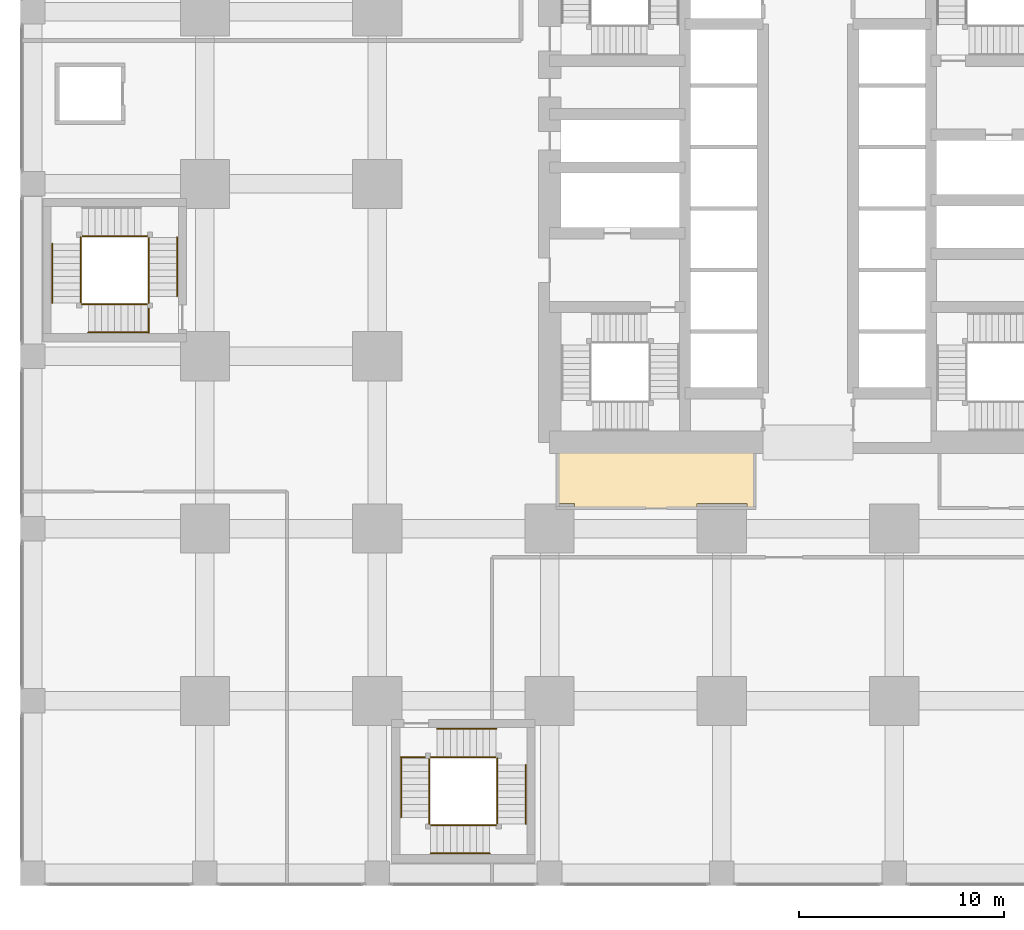
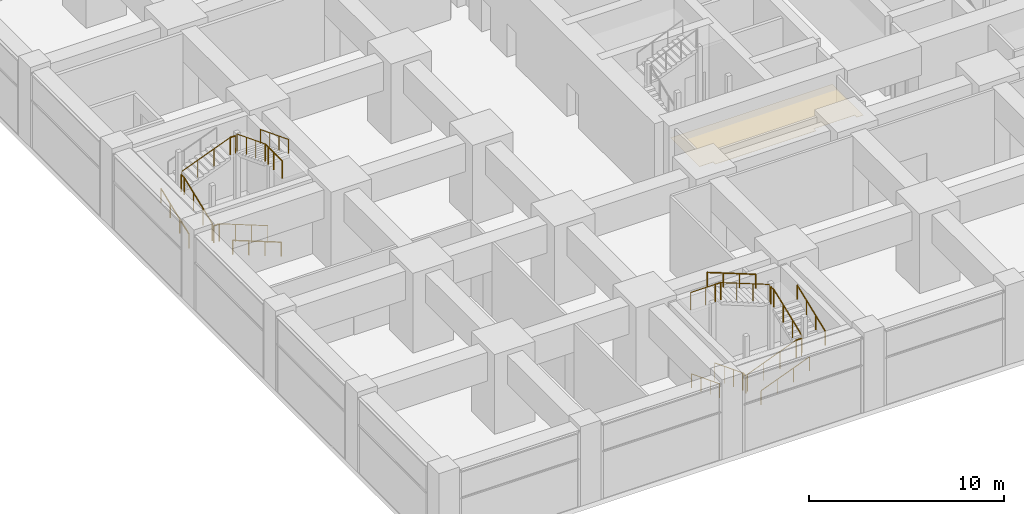
# One storey, part 40 of 48: 25 railings, 1 covering.
"""IFC4 building model written with IfcOpenShell, lengths in metres."""

from ifc_helpers import new_model, si_unit, direction, frame, origin, origin_2d, place, context, subcontext, project, spatial, polyline, circle, outline, extrude, material, layer, layer_set, type_object, element, save


model = new_model("IFC4")

# Units and contexts
model_context = context("Model", 3, precision=1e-05, world=origin(), true_north=direction((0.0, 1.0)))
body_context = subcontext(model_context, "Body", "Model", "MODEL_VIEW")
ifc_project = project(units=[si_unit("LENGTHUNIT", "METRE"), si_unit("AREAUNIT", "SQUARE_METRE"), si_unit("VOLUMEUNIT", "CUBIC_METRE"), si_unit("PLANEANGLEUNIT", "RADIAN"), si_unit("MASSUNIT", "GRAM", prefix="KILO")], contexts=[model_context])

# Site, building, storey
site_placement = place(None, origin())
site = spatial("IfcSite", under=ifc_project, at=site_placement, CompositionType="ELEMENT")
building_placement = place(site_placement, origin())
building = spatial("IfcBuilding", under=site, at=building_placement, Name="Rekha Terrace Tower", CompositionType="ELEMENT")
storey_placement = place(building_placement, frame((0.0, 0.0, 15.39990234375)))
storey = spatial("IfcBuildingStorey", under=building, at=storey_placement, Name="L03", CompositionType="ELEMENT", Elevation=15.39990234375)

# Covering
ifc_material_1 = material(Name="Fibre cement board", Category="finish")
ifc_layer = layer(ifc_material_1, 0.014892578125)
ifc_layer_set = layer_set([ifc_layer], Name="Fibre cement board")
covering_type = type_object("IfcCoveringType", Name="CL2 moisture-resistant board ceiling", PredefinedType="CEILING", material=ifc_layer_set)
covering_placement = place(storey_placement, frame((0.0, 0.0, 3.78515625)))
element("IfcCovering", 1, at=covering_placement, inside=storey, type_object=covering_type, Name="Ceiling L03-WCM", PredefinedType="CEILING", context=body_context, shape_type="SweptSolid", body=[
    extrude(outline(polyline([(35.199951171875, 21.0), (25.60009765625, 21.0), (25.60009765625, 18.014892578125), (26.4150390625, 18.014892578125), (26.4150390625, 17.800048828125), (32.385009765625, 17.800048828125), (32.385009765625, 18.014892578125), (34.81494140625, 18.014892578125), (34.81494140625, 17.800048828125), (35.199951171875, 17.800048828125), (35.199951171875, 21.0)])), origin(), (0.0, 0.0, 1.0), 0.014892578125),
])

# Railings
ifc_material_2 = material(Name="Stainless steel balustrade", Category="steel")
railing_type_1 = type_object("IfcRailingType", Name="GR1 1100 stair guard", PredefinedType="GUARDRAIL", material=ifc_material_2)
railing_1_placement = place(storey_placement, frame((5.60009765625, 27.739990234375, 0.125)))
element("IfcRailing", 2, at=railing_1_placement, inside=storey, type_object=railing_type_1, Name="Guard SP1 L03 flight 1", PredefinedType="GUARDRAIL", context=body_context, shape_type="SweptSolid", body=[
    extrude(circle(Radius=0.02392578125, at=origin_2d()), frame((0.0, 0.0, 1.076171875), z_axis=(-0.931462784923, 0.0, 0.363836612098), x_axis=(0.0, -1.0, 0.0)), (0.0, 0.0, 1.0), 3.092041015625),
    extrude(circle(Radius=0.02099609375, at=origin_2d()), origin(), (0.0, 0.0, 1.0), 1.052001953125),
    extrude(circle(Radius=0.02099609375, at=origin_2d()), frame((-0.9599609375, 0.0, 0.375)), (0.0, 0.0, 1.0), 1.052001953125),
    extrude(circle(Radius=0.02099609375, at=origin_2d()), frame((-1.920166015625, 0.0, 0.75)), (0.0, 0.0, 1.0), 1.052001953125),
    extrude(circle(Radius=0.02099609375, at=origin_2d()), frame((-2.880126953125, 0.0, 1.125)), (0.0, 0.0, 1.0), 1.052001953125),
])
railing_2_placement = place(storey_placement, frame((2.340087890625, 27.800048828125, 1.375)))
element("IfcRailing", 3, at=railing_2_placement, inside=storey, type_object=railing_type_1, Name="Guard SP1 L03 flight 2", PredefinedType="GUARDRAIL", context=body_context, shape_type="SweptSolid", body=[
    extrude(circle(Radius=0.02392578125, at=origin_2d()), frame((0.0, 0.0, 1.076171875), z_axis=(0.0, 0.931452331594, 0.363863372667), x_axis=(-1.0, 0.0, 0.0)), (0.0, 0.0, 1.0), 3.091796875),
    extrude(circle(Radius=0.02099609375, at=origin_2d()), origin(), (0.0, 0.0, 1.0), 1.052001953125),
    extrude(circle(Radius=0.02099609375, at=origin_2d()), frame((0.0, 0.9599609375, 0.375)), (0.0, 0.0, 1.0), 1.052001953125),
    extrude(circle(Radius=0.02099609375, at=origin_2d()), frame((0.0, 1.919921875, 0.75)), (0.0, 0.0, 1.0), 1.052001953125),
    extrude(circle(Radius=0.02099609375, at=origin_2d()), frame((0.0, 2.8798828125, 1.125)), (0.0, 0.0, 1.0), 1.052001953125),
])
railing_3_placement = place(storey_placement, frame((2.39990234375, 31.06005859375, 2.625)))
element("IfcRailing", 4, at=railing_3_placement, inside=storey, type_object=railing_type_1, Name="Guard SP1 L03 flight 3", PredefinedType="GUARDRAIL", context=body_context, shape_type="SweptSolid", body=[
    extrude(circle(Radius=0.02392578125, at=origin_2d()), frame((0.0, 0.0, 1.076171875), z_axis=(0.931462784923, 0.0, 0.363836612098), x_axis=(0.0, 1.0, 0.0)), (0.0, 0.0, 1.0), 3.092041015625),
    extrude(circle(Radius=0.02099609375, at=origin_2d()), origin(), (0.0, 0.0, 1.0), 1.052001953125),
    extrude(circle(Radius=0.02099609375, at=origin_2d()), frame((0.9599609375, 0.0, 0.375)), (0.0, 0.0, 1.0), 1.052001953125),
    extrude(circle(Radius=0.02099609375, at=origin_2d()), frame((1.920166015625, 0.0, 0.75)), (0.0, 0.0, 1.0), 1.052001953125),
    extrude(circle(Radius=0.02099609375, at=origin_2d()), frame((2.880126953125, 0.0, 1.125)), (0.0, 0.0, 1.0), 1.052001953125),
])
railing_4_placement = place(storey_placement, frame((5.659912109375, 31.0, 3.875)))
element("IfcRailing", 5, at=railing_4_placement, inside=storey, type_object=railing_type_1, Name="Guard SP1 L03 flight 4", PredefinedType="GUARDRAIL", context=body_context, shape_type="SweptSolid", body=[
    extrude(circle(Radius=0.02392578125, at=origin_2d()), frame((0.0, 0.0, 1.076171875), z_axis=(0.0, -0.931452331594, 0.363863372667), x_axis=(1.0, 0.0, 0.0)), (0.0, 0.0, 1.0), 3.091796875),
    extrude(circle(Radius=0.02099609375, at=origin_2d()), origin(), (0.0, 0.0, 1.0), 1.052001953125),
    extrude(circle(Radius=0.02099609375, at=origin_2d()), frame((0.0, -0.9599609375, 0.375)), (0.0, 0.0, 1.0), 1.052001953125),
    extrude(circle(Radius=0.02099609375, at=origin_2d()), frame((0.0, -1.919921875, 0.75)), (0.0, 0.0, 1.0), 1.052001953125),
    extrude(circle(Radius=0.02099609375, at=origin_2d()), frame((0.0, -2.8798828125, 1.125)), (0.0, 0.0, 1.0), 1.052001953125),
])
railing_5_placement = place(storey_placement, frame((2.719970703125, 27.739990234375, 1.25)))
element("IfcRailing", 6, at=railing_5_placement, inside=storey, type_object=railing_type_1, Name="Guard SP1 L03 landing 1", PredefinedType="GUARDRAIL", context=body_context, shape_type="SweptSolid", body=[
    extrude(circle(Radius=0.02392578125, at=origin_2d()), frame((0.0, 0.0, 1.076171875), z_axis=(-1.0, 0.0, 0.0), x_axis=(0.0, -1.0, 0.0)), (0.0, 0.0, 1.0), 0.320068359375),
    extrude(circle(Radius=0.02099609375, at=origin_2d()), origin(), (0.0, 0.0, 1.0), 1.052001953125),
    extrude(circle(Radius=0.02099609375, at=origin_2d()), frame((-0.320068359375, 0.0, 0.0)), (0.0, 0.0, 1.0), 1.052001953125),
])
railing_6_placement = place(storey_placement, frame((2.340087890625, 30.679931640625, 2.5)))
element("IfcRailing", 7, at=railing_6_placement, inside=storey, type_object=railing_type_1, Name="Guard SP1 L03 landing 2", PredefinedType="GUARDRAIL", context=body_context, shape_type="SweptSolid", body=[
    extrude(circle(Radius=0.02392578125, at=origin_2d()), frame((0.0, 0.0, 1.076171875), z_axis=(0.0, 1.0, 0.0), x_axis=(-1.0, 0.0, 0.0)), (0.0, 0.0, 1.0), 0.320068359375),
    extrude(circle(Radius=0.02099609375, at=origin_2d()), origin(), (0.0, 0.0, 1.0), 1.052001953125),
    extrude(circle(Radius=0.02099609375, at=origin_2d()), frame((0.0, 0.320068359375, 0.0)), (0.0, 0.0, 1.0), 1.052001953125),
])
railing_7_placement = place(storey_placement, frame((5.60009765625, 31.06005859375, 3.75)))
element("IfcRailing", 8, at=railing_7_placement, inside=storey, type_object=railing_type_1, Name="Guard SP1 L03 landing 3", PredefinedType="GUARDRAIL", context=body_context, shape_type="SweptSolid", body=[
    extrude(circle(Radius=0.02392578125, at=origin_2d()), frame((0.0, 0.0, 1.076171875), z_axis=(-1.0, 0.0, 0.0), x_axis=(0.0, -1.0, 0.0)), (0.0, 0.0, 1.0), 0.320068359375),
    extrude(circle(Radius=0.02099609375, at=origin_2d()), origin(), (0.0, 0.0, 1.0), 1.052001953125),
    extrude(circle(Radius=0.02099609375, at=origin_2d()), frame((-0.320068359375, 0.0, 0.0)), (0.0, 0.0, 1.0), 1.052001953125),
])
railing_8_placement = place(storey_placement, frame((5.659912109375, 27.800048828125, 5.0)))
element("IfcRailing", 9, at=railing_8_placement, inside=storey, type_object=railing_type_1, Name="Guard SP1 L03 landing 4", PredefinedType="GUARDRAIL", context=body_context, shape_type="SweptSolid", body=[
    extrude(circle(Radius=0.02392578125, at=origin_2d()), frame((0.0, 0.0, 1.076171875), z_axis=(0.0, 1.0, 0.0), x_axis=(-1.0, 0.0, 0.0)), (0.0, 0.0, 1.0), 0.320068359375),
    extrude(circle(Radius=0.02099609375, at=origin_2d()), origin(), (0.0, 0.0, 1.0), 1.052001953125),
    extrude(circle(Radius=0.02099609375, at=origin_2d()), frame((0.0, 0.320068359375, 0.0)), (0.0, 0.0, 1.0), 1.052001953125),
])
railing_9_placement = place(storey_placement, frame((5.659912109375, 26.35009765625, 5.0)))
element("IfcRailing", 10, at=railing_9_placement, inside=storey, type_object=railing_type_1, Name="Guard SP1 L03 landing 5", PredefinedType="GUARDRAIL", context=body_context, shape_type="SweptSolid", body=[
    extrude(circle(Radius=0.02392578125, at=origin_2d()), frame((0.0, 0.0, 1.076171875), z_axis=(0.0, 1.0, 0.0), x_axis=(-1.0, 0.0, 0.0)), (0.0, 0.0, 1.0), 1.77001953125),
    extrude(circle(Radius=0.02099609375, at=origin_2d()), origin(), (0.0, 0.0, 1.0), 1.052001953125),
    extrude(circle(Radius=0.02099609375, at=origin_2d()), frame((0.0, 0.885009765625, 0.0)), (0.0, 0.0, 1.0), 1.052001953125),
    extrude(circle(Radius=0.02099609375, at=origin_2d()), frame((0.0, 1.77001953125, 0.0)), (0.0, 0.0, 1.0), 1.052001953125),
])
railing_10_placement = place(storey_placement, frame((19.340087890625, 5.60009765625, 0.125)))
element("IfcRailing", 11, at=railing_10_placement, inside=storey, type_object=railing_type_1, Name="Guard SP3 L03 flight 1", PredefinedType="GUARDRAIL", context=body_context, shape_type="SweptSolid", body=[
    extrude(circle(Radius=0.02392578125, at=origin_2d()), frame((0.0, 0.0, 1.076171875), z_axis=(0.0, -0.931462784923, 0.363836612098), x_axis=(1.0, 0.0, 0.0)), (0.0, 0.0, 1.0), 3.092041015625),
    extrude(circle(Radius=0.02099609375, at=origin_2d()), origin(), (0.0, 0.0, 1.0), 1.052001953125),
    extrude(circle(Radius=0.02099609375, at=origin_2d()), frame((0.0, -0.9599609375, 0.375)), (0.0, 0.0, 1.0), 1.052001953125),
    extrude(circle(Radius=0.02099609375, at=origin_2d()), frame((0.0, -1.920166015625, 0.75)), (0.0, 0.0, 1.0), 1.052001953125),
    extrude(circle(Radius=0.02099609375, at=origin_2d()), frame((0.0, -2.880126953125, 1.125)), (0.0, 0.0, 1.0), 1.052001953125),
])
railing_11_placement = place(storey_placement, frame((19.39990234375, 2.340087890625, 1.375)))
element("IfcRailing", 12, at=railing_11_placement, inside=storey, type_object=railing_type_1, Name="Guard SP3 L03 flight 2", PredefinedType="GUARDRAIL", context=body_context, shape_type="SweptSolid", body=[
    extrude(circle(Radius=0.02392578125, at=origin_2d()), frame((0.0, 0.0, 1.076171875), z_axis=(0.931462784923, 0.0, 0.363836612098), x_axis=(0.0, 1.0, 0.0)), (0.0, 0.0, 1.0), 3.092041015625),
    extrude(circle(Radius=0.02099609375, at=origin_2d()), origin(), (0.0, 0.0, 1.0), 1.052001953125),
    extrude(circle(Radius=0.02099609375, at=origin_2d()), frame((0.9599609375, 0.0, 0.375)), (0.0, 0.0, 1.0), 1.052001953125),
    extrude(circle(Radius=0.02099609375, at=origin_2d()), frame((1.920166015625, 0.0, 0.75)), (0.0, 0.0, 1.0), 1.052001953125),
    extrude(circle(Radius=0.02099609375, at=origin_2d()), frame((2.880126953125, 0.0, 1.125)), (0.0, 0.0, 1.0), 1.052001953125),
])
railing_12_placement = place(storey_placement, frame((22.659912109375, 2.39990234375, 2.625)))
element("IfcRailing", 13, at=railing_12_placement, inside=storey, type_object=railing_type_1, Name="Guard SP3 L03 flight 3", PredefinedType="GUARDRAIL", context=body_context, shape_type="SweptSolid", body=[
    extrude(circle(Radius=0.02392578125, at=origin_2d()), frame((0.0, 0.0, 1.076171875), z_axis=(0.0, 0.931462784923, 0.363836612098), x_axis=(-1.0, 0.0, 0.0)), (0.0, 0.0, 1.0), 3.092041015625),
    extrude(circle(Radius=0.02099609375, at=origin_2d()), origin(), (0.0, 0.0, 1.0), 1.052001953125),
    extrude(circle(Radius=0.02099609375, at=origin_2d()), frame((0.0, 0.9599609375, 0.375)), (0.0, 0.0, 1.0), 1.052001953125),
    extrude(circle(Radius=0.02099609375, at=origin_2d()), frame((0.0, 1.920166015625, 0.75)), (0.0, 0.0, 1.0), 1.052001953125),
    extrude(circle(Radius=0.02099609375, at=origin_2d()), frame((0.0, 2.880126953125, 1.125)), (0.0, 0.0, 1.0), 1.052001953125),
])
railing_13_placement = place(storey_placement, frame((22.60009765625, 5.659912109375, 3.875)))
element("IfcRailing", 14, at=railing_13_placement, inside=storey, type_object=railing_type_1, Name="Guard SP3 L03 flight 4", PredefinedType="GUARDRAIL", context=body_context, shape_type="SweptSolid", body=[
    extrude(circle(Radius=0.02392578125, at=origin_2d()), frame((0.0, 0.0, 1.076171875), z_axis=(-0.931462784923, 0.0, 0.363836612098), x_axis=(0.0, -1.0, 0.0)), (0.0, 0.0, 1.0), 3.092041015625),
    extrude(circle(Radius=0.02099609375, at=origin_2d()), origin(), (0.0, 0.0, 1.0), 1.052001953125),
    extrude(circle(Radius=0.02099609375, at=origin_2d()), frame((-0.9599609375, 0.0, 0.375)), (0.0, 0.0, 1.0), 1.052001953125),
    extrude(circle(Radius=0.02099609375, at=origin_2d()), frame((-1.920166015625, 0.0, 0.75)), (0.0, 0.0, 1.0), 1.052001953125),
    extrude(circle(Radius=0.02099609375, at=origin_2d()), frame((-2.880126953125, 0.0, 1.125)), (0.0, 0.0, 1.0), 1.052001953125),
])
railing_14_placement = place(storey_placement, frame((19.340087890625, 2.719970703125, 1.25)))
element("IfcRailing", 15, at=railing_14_placement, inside=storey, type_object=railing_type_1, Name="Guard SP3 L03 landing 1", PredefinedType="GUARDRAIL", context=body_context, shape_type="SweptSolid", body=[
    extrude(circle(Radius=0.02392578125, at=origin_2d()), frame((0.0, 0.0, 1.076171875), z_axis=(0.0, -1.0, 0.0), x_axis=(1.0, 0.0, 0.0)), (0.0, 0.0, 1.0), 0.320068359375),
    extrude(circle(Radius=0.02099609375, at=origin_2d()), origin(), (0.0, 0.0, 1.0), 1.052001953125),
    extrude(circle(Radius=0.02099609375, at=origin_2d()), frame((0.0, -0.320068359375, 0.0)), (0.0, 0.0, 1.0), 1.052001953125),
])
railing_15_placement = place(storey_placement, frame((22.280029296875, 2.340087890625, 2.5)))
element("IfcRailing", 16, at=railing_15_placement, inside=storey, type_object=railing_type_1, Name="Guard SP3 L03 landing 2", PredefinedType="GUARDRAIL", context=body_context, shape_type="SweptSolid", body=[
    extrude(circle(Radius=0.02392578125, at=origin_2d()), frame((0.0, 0.0, 1.076171875), z_axis=(1.0, 0.0, 0.0), x_axis=(0.0, 1.0, 0.0)), (0.0, 0.0, 1.0), 0.320068359375),
    extrude(circle(Radius=0.02099609375, at=origin_2d()), origin(), (0.0, 0.0, 1.0), 1.052001953125),
    extrude(circle(Radius=0.02099609375, at=origin_2d()), frame((0.320068359375, 0.0, 0.0)), (0.0, 0.0, 1.0), 1.052001953125),
])
railing_16_placement = place(storey_placement, frame((22.659912109375, 5.60009765625, 3.75)))
element("IfcRailing", 17, at=railing_16_placement, inside=storey, type_object=railing_type_1, Name="Guard SP3 L03 landing 3", PredefinedType="GUARDRAIL", context=body_context, shape_type="SweptSolid", body=[
    extrude(circle(Radius=0.02392578125, at=origin_2d()), frame((0.0, 0.0, 1.076171875), z_axis=(0.0, -1.0, 0.0), x_axis=(1.0, 0.0, 0.0)), (0.0, 0.0, 1.0), 0.320068359375),
    extrude(circle(Radius=0.02099609375, at=origin_2d()), origin(), (0.0, 0.0, 1.0), 1.052001953125),
    extrude(circle(Radius=0.02099609375, at=origin_2d()), frame((0.0, -0.320068359375, 0.0)), (0.0, 0.0, 1.0), 1.052001953125),
])
railing_17_placement = place(storey_placement, frame((19.39990234375, 5.659912109375, 5.0)))
element("IfcRailing", 18, at=railing_17_placement, inside=storey, type_object=railing_type_1, Name="Guard SP3 L03 landing 4", PredefinedType="GUARDRAIL", context=body_context, shape_type="SweptSolid", body=[
    extrude(circle(Radius=0.02392578125, at=origin_2d()), frame((0.0, 0.0, 1.076171875), z_axis=(1.0, 0.0, 0.0), x_axis=(0.0, 1.0, 0.0)), (0.0, 0.0, 1.0), 0.320068359375),
    extrude(circle(Radius=0.02099609375, at=origin_2d()), origin(), (0.0, 0.0, 1.0), 1.052001953125),
    extrude(circle(Radius=0.02099609375, at=origin_2d()), frame((0.320068359375, 0.0, 0.0)), (0.0, 0.0, 1.0), 1.052001953125),
])
railing_18_placement = place(storey_placement, frame((17.949951171875, 5.659912109375, 5.0)))
element("IfcRailing", 19, at=railing_18_placement, inside=storey, type_object=railing_type_1, Name="Guard SP3 L03 landing 5", PredefinedType="GUARDRAIL", context=body_context, shape_type="SweptSolid", body=[
    extrude(circle(Radius=0.02392578125, at=origin_2d()), frame((0.0, 0.0, 1.076171875), z_axis=(1.0, 0.0, 0.0), x_axis=(0.0, 1.0, 0.0)), (0.0, 0.0, 1.0), 1.77001953125),
    extrude(circle(Radius=0.02099609375, at=origin_2d()), origin(), (0.0, 0.0, 1.0), 1.052001953125),
    extrude(circle(Radius=0.02099609375, at=origin_2d()), frame((0.885009765625, 0.0, 0.0)), (0.0, 0.0, 1.0), 1.052001953125),
    extrude(circle(Radius=0.02099609375, at=origin_2d()), frame((1.77001953125, 0.0, 0.0)), (0.0, 0.0, 1.0), 1.052001953125),
])
ifc_material_3 = material(Name="Stainless steel tube", Category="steel")
railing_type_2 = type_object("IfcRailingType", Name="HR1 900 stair handrail", PredefinedType="HANDRAIL", material=ifc_material_3)
railing_19_placement = place(storey_placement, frame((5.60009765625, 26.360107421875, 0.125)))
element("IfcRailing", 20, at=railing_19_placement, inside=storey, type_object=railing_type_2, Name="Handrail SP1 L03 flight 1", PredefinedType="HANDRAIL", context=body_context, shape_type="SweptSolid", body=[
    extrude(circle(Radius=0.02392578125, at=origin_2d()), frame((0.0, 0.0, 0.8759765625), z_axis=(-0.931462784923, 0.0, 0.363836612098), x_axis=(0.0, -1.0, 0.0)), (0.0, 0.0, 1.0), 3.092041015625),
    extrude(circle(Radius=0.02099609375, at=origin_2d()), origin(), (0.0, 0.0, 1.0), 0.851806640625),
    extrude(circle(Radius=0.02099609375, at=origin_2d()), frame((-0.9599609375, 0.0, 0.375)), (0.0, 0.0, 1.0), 0.851806640625),
    extrude(circle(Radius=0.02099609375, at=origin_2d()), frame((-1.920166015625, 0.0, 0.75)), (0.0, 0.0, 1.0), 0.851806640625),
    extrude(circle(Radius=0.02099609375, at=origin_2d()), frame((-2.880126953125, 0.0, 1.125)), (0.0, 0.0, 1.0), 0.851806640625),
])
railing_20_placement = place(storey_placement, frame((0.9599609375, 27.800048828125, 1.375)))
element("IfcRailing", 21, at=railing_20_placement, inside=storey, type_object=railing_type_2, Name="Handrail SP1 L03 flight 2", PredefinedType="HANDRAIL", context=body_context, shape_type="SweptSolid", body=[
    extrude(circle(Radius=0.02392578125, at=origin_2d()), frame((0.0, 0.0, 0.8759765625), z_axis=(0.0, 0.931452331594, 0.363863372667), x_axis=(-1.0, 0.0, 0.0)), (0.0, 0.0, 1.0), 3.091796875),
    extrude(circle(Radius=0.02099609375, at=origin_2d()), origin(), (0.0, 0.0, 1.0), 0.851806640625),
    extrude(circle(Radius=0.02099609375, at=origin_2d()), frame((0.0, 0.9599609375, 0.375)), (0.0, 0.0, 1.0), 0.851806640625),
    extrude(circle(Radius=0.02099609375, at=origin_2d()), frame((0.0, 1.919921875, 0.75)), (0.0, 0.0, 1.0), 0.851806640625),
    extrude(circle(Radius=0.02099609375, at=origin_2d()), frame((0.0, 2.8798828125, 1.125)), (0.0, 0.0, 1.0), 0.851806640625),
])
railing_21_placement = place(storey_placement, frame((7.0400390625, 31.0, 3.875)))
element("IfcRailing", 22, at=railing_21_placement, inside=storey, type_object=railing_type_2, Name="Handrail SP1 L03 flight 4", PredefinedType="HANDRAIL", context=body_context, shape_type="SweptSolid", body=[
    extrude(circle(Radius=0.02392578125, at=origin_2d()), frame((0.0, 0.0, 0.8759765625), z_axis=(0.0, -0.931452331594, 0.363863372667), x_axis=(1.0, 0.0, 0.0)), (0.0, 0.0, 1.0), 3.091796875),
    extrude(circle(Radius=0.02099609375, at=origin_2d()), origin(), (0.0, 0.0, 1.0), 0.851806640625),
    extrude(circle(Radius=0.02099609375, at=origin_2d()), frame((0.0, -0.9599609375, 0.375)), (0.0, 0.0, 1.0), 0.851806640625),
    extrude(circle(Radius=0.02099609375, at=origin_2d()), frame((0.0, -1.919921875, 0.75)), (0.0, 0.0, 1.0), 0.851806640625),
    extrude(circle(Radius=0.02099609375, at=origin_2d()), frame((0.0, -2.8798828125, 1.125)), (0.0, 0.0, 1.0), 0.851806640625),
])
railing_22_placement = place(storey_placement, frame((17.9599609375, 5.60009765625, 0.125)))
element("IfcRailing", 23, at=railing_22_placement, inside=storey, type_object=railing_type_2, Name="Handrail SP3 L03 flight 1", PredefinedType="HANDRAIL", context=body_context, shape_type="SweptSolid", body=[
    extrude(circle(Radius=0.02392578125, at=origin_2d()), frame((0.0, 0.0, 0.8759765625), z_axis=(0.0, -0.931462784923, 0.363836612098), x_axis=(1.0, 0.0, 0.0)), (0.0, 0.0, 1.0), 3.092041015625),
    extrude(circle(Radius=0.02099609375, at=origin_2d()), origin(), (0.0, 0.0, 1.0), 0.851806640625),
    extrude(circle(Radius=0.02099609375, at=origin_2d()), frame((0.0, -0.9599609375, 0.375)), (0.0, 0.0, 1.0), 0.851806640625),
    extrude(circle(Radius=0.02099609375, at=origin_2d()), frame((0.0, -1.920166015625, 0.75)), (0.0, 0.0, 1.0), 0.851806640625),
    extrude(circle(Radius=0.02099609375, at=origin_2d()), frame((0.0, -2.880126953125, 1.125)), (0.0, 0.0, 1.0), 0.851806640625),
])
railing_23_placement = place(storey_placement, frame((19.39990234375, 0.9599609375, 1.375)))
element("IfcRailing", 24, at=railing_23_placement, inside=storey, type_object=railing_type_2, Name="Handrail SP3 L03 flight 2", PredefinedType="HANDRAIL", context=body_context, shape_type="SweptSolid", body=[
    extrude(circle(Radius=0.02392578125, at=origin_2d()), frame((0.0, 0.0, 0.8759765625), z_axis=(0.931462784923, 0.0, 0.363836612098), x_axis=(0.0, 1.0, 0.0)), (0.0, 0.0, 1.0), 3.092041015625),
    extrude(circle(Radius=0.02099609375, at=origin_2d()), origin(), (0.0, 0.0, 1.0), 0.851806640625),
    extrude(circle(Radius=0.02099609375, at=origin_2d()), frame((0.9599609375, 0.0, 0.375)), (0.0, 0.0, 1.0), 0.851806640625),
    extrude(circle(Radius=0.02099609375, at=origin_2d()), frame((1.920166015625, 0.0, 0.75)), (0.0, 0.0, 1.0), 0.851806640625),
    extrude(circle(Radius=0.02099609375, at=origin_2d()), frame((2.880126953125, 0.0, 1.125)), (0.0, 0.0, 1.0), 0.851806640625),
])
railing_24_placement = place(storey_placement, frame((24.0400390625, 2.39990234375, 2.625)))
element("IfcRailing", 25, at=railing_24_placement, inside=storey, type_object=railing_type_2, Name="Handrail SP3 L03 flight 3", PredefinedType="HANDRAIL", context=body_context, shape_type="SweptSolid", body=[
    extrude(circle(Radius=0.02392578125, at=origin_2d()), frame((0.0, 0.0, 0.8759765625), z_axis=(0.0, 0.931462784923, 0.363836612098), x_axis=(-1.0, 0.0, 0.0)), (0.0, 0.0, 1.0), 3.092041015625),
    extrude(circle(Radius=0.02099609375, at=origin_2d()), origin(), (0.0, 0.0, 1.0), 0.851806640625),
    extrude(circle(Radius=0.02099609375, at=origin_2d()), frame((0.0, 0.9599609375, 0.375)), (0.0, 0.0, 1.0), 0.851806640625),
    extrude(circle(Radius=0.02099609375, at=origin_2d()), frame((0.0, 1.920166015625, 0.75)), (0.0, 0.0, 1.0), 0.851806640625),
    extrude(circle(Radius=0.02099609375, at=origin_2d()), frame((0.0, 2.880126953125, 1.125)), (0.0, 0.0, 1.0), 0.851806640625),
])
railing_25_placement = place(storey_placement, frame((22.60009765625, 7.0400390625, 3.875)))
element("IfcRailing", 26, at=railing_25_placement, inside=storey, type_object=railing_type_2, Name="Handrail SP3 L03 flight 4", PredefinedType="HANDRAIL", context=body_context, shape_type="SweptSolid", body=[
    extrude(circle(Radius=0.02392578125, at=origin_2d()), frame((0.0, 0.0, 0.8759765625), z_axis=(-0.931462784923, 0.0, 0.363836612098), x_axis=(0.0, -1.0, 0.0)), (0.0, 0.0, 1.0), 3.092041015625),
    extrude(circle(Radius=0.02099609375, at=origin_2d()), origin(), (0.0, 0.0, 1.0), 0.851806640625),
    extrude(circle(Radius=0.02099609375, at=origin_2d()), frame((-0.9599609375, 0.0, 0.375)), (0.0, 0.0, 1.0), 0.851806640625),
    extrude(circle(Radius=0.02099609375, at=origin_2d()), frame((-1.920166015625, 0.0, 0.75)), (0.0, 0.0, 1.0), 0.851806640625),
    extrude(circle(Radius=0.02099609375, at=origin_2d()), frame((-2.880126953125, 0.0, 1.125)), (0.0, 0.0, 1.0), 0.851806640625),
])

save(model, "model.ifc")
